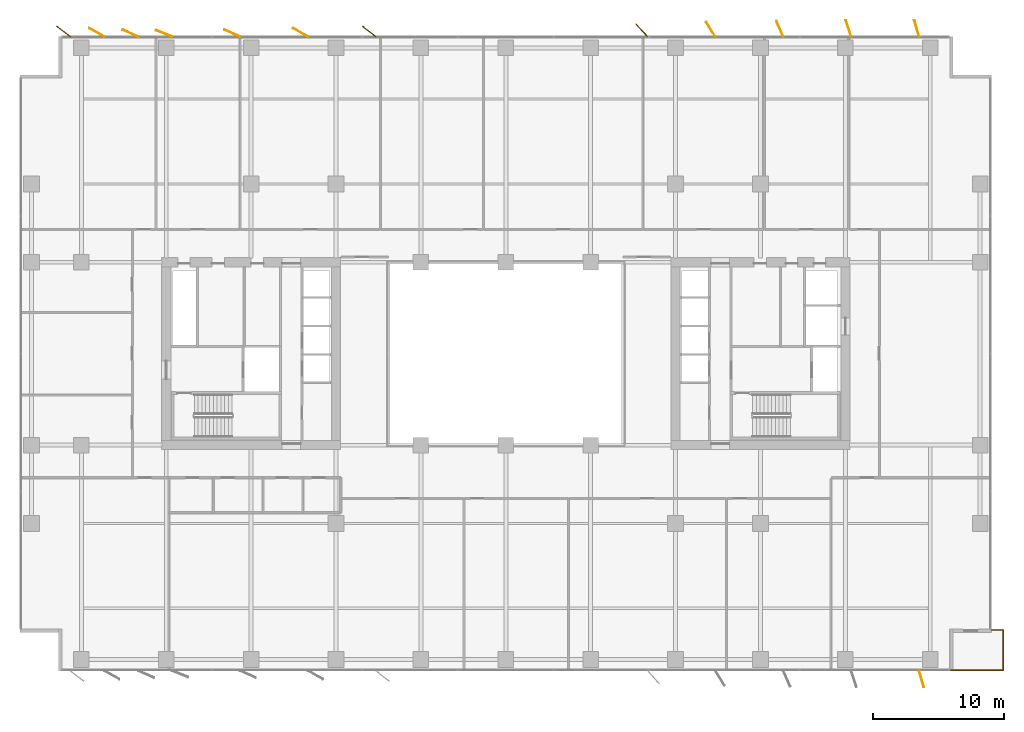
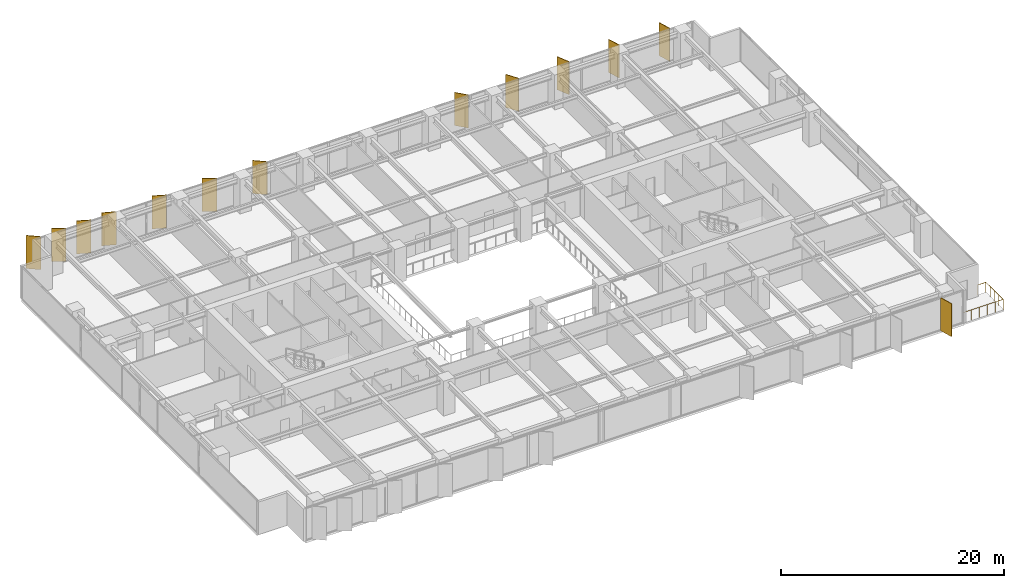
# One storey, part 20 of 20: 13 shading devices, 1 railing.
"""IFC4 building model written with IfcOpenShell, lengths in metres."""

import ifcopenshell
import ifcopenshell.guid

model = None  # the IFC model being written
_history = None  # IfcOwnerHistory: only IFC2X3 demands one
_inside = {}  # id of a spatial element -> (the spatial element, [elements in it])
_under = {}  # id of a project, library or spatial element -> (it, [spatial elements below it])
_declared = {}  # id of a project -> (the project, [libraries it declares])
_typed = {}  # id of a type object -> (the type object, [elements of that type])
_made_of = {}  # id of a material, layer set ... -> (it, [elements and type objects made of it])


def new_model(schema):
    """Start an empty IFC model of exactly this schema.

    Asked for "IFC4X3", IfcOpenShell would pick the latest addendum, in which some entities
    have other attributes; the version numbers below select the first issue.
    IFC2X3 requires an IfcOwnerHistory on every rooted entity: one is made here for all.
    """
    global model, _history
    if schema == "IFC4X3":
        model = ifcopenshell.file(schema_version=(4, 3, 0, 0))
    else:
        model = ifcopenshell.file(schema=schema)
    _inside.clear()
    _under.clear()
    _declared.clear()
    _typed.clear()
    _made_of.clear()
    _history = None
    if model.schema == "IFC2X3":
        org = make("IfcOrganization", Name="unknown")
        user = make(
            "IfcPersonAndOrganization",
            ThePerson=make("IfcPerson", FamilyName="unknown"),
            TheOrganization=org,
        )
        app = make(
            "IfcApplication",
            ApplicationDeveloper=org,
            Version="unknown",
            ApplicationFullName="unknown",
            ApplicationIdentifier="unknown",
        )
        _history = make(
            "IfcOwnerHistory",
            OwningUser=user,
            OwningApplication=app,
            ChangeAction="ADDED",
            CreationDate=0,
        )
    return model


def make(cls, **values):
    """One entity of the class cls with the attributes given. An attribute that is None is left unset."""
    return model.create_entity(
        cls, **{name: value for name, value in values.items() if value is not None}
    )


def rooted(cls, **values):
    """An entity with a GlobalId (a new one), such as an element, a storey or a relation."""
    return make(cls, GlobalId=ifcopenshell.guid.new(), OwnerHistory=_history, **values)


def si_unit(unit_type, name, prefix=None):
    """IfcSIUnit, for example si_unit("LENGTHUNIT", "METRE", prefix="MILLI")."""
    return make("IfcSIUnit", UnitType=unit_type, Prefix=prefix, Name=name)


def assignment(units):
    """IfcUnitAssignment: the units of a project."""
    return None if units is None else make("IfcUnitAssignment", Units=units)


def point(xyz):
    """IfcCartesianPoint."""
    return None if xyz is None else make("IfcCartesianPoint", Coordinates=xyz)


def direction(xyz):
    """IfcDirection."""
    return None if xyz is None else make("IfcDirection", DirectionRatios=xyz)


def frame(location, z_axis=None, x_axis=None):
    """IfcAxis2Placement3D, a coordinate frame: its origin and axes. An axis left out is left unset."""
    return make(
        "IfcAxis2Placement3D",
        Location=point(location),
        Axis=direction(z_axis),
        RefDirection=direction(x_axis),
    )


def frame_2d(location, x_axis=None):
    """IfcAxis2Placement2D, a coordinate frame in the plane: its origin and x axis."""
    return make(
        "IfcAxis2Placement2D", Location=point(location), RefDirection=direction(x_axis)
    )


def origin():
    """The frame at (0, 0, 0) with its axes left unset."""
    return frame((0.0, 0.0, 0.0))


def origin_2d():
    """The frame at (0, 0) in the plane with its x axis left unset."""
    return frame_2d((0.0, 0.0))


def place(relative_to, where):
    """IfcLocalPlacement: puts the frame where relative to a parent placement (None: the world)."""
    return make(
        "IfcLocalPlacement", PlacementRelTo=relative_to, RelativePlacement=where
    )


def context(
    kind, dimensions, precision=None, world=None, true_north=None, identifier=None
):
    """IfcGeometricRepresentationContext, for example the 3D "Model" context."""
    return make(
        "IfcGeometricRepresentationContext",
        ContextIdentifier=identifier,
        ContextType=kind,
        CoordinateSpaceDimension=dimensions,
        Precision=precision,
        WorldCoordinateSystem=world,
        TrueNorth=true_north,
    )


def subcontext(parent, identifier, kind, view, scale=None):
    """IfcGeometricRepresentationSubContext, for example "Body" below "Model"."""
    return make(
        "IfcGeometricRepresentationSubContext",
        ContextIdentifier=identifier,
        ContextType=kind,
        ParentContext=parent,
        TargetScale=scale,
        TargetView=view,
    )


def project(units=None, contexts=None):
    """IfcProject with its units and contexts."""
    return rooted(
        "IfcProject",
        Name="project",
        RepresentationContexts=contexts,
        UnitsInContext=assignment(units),
    )


def spatial(cls, under=None, at=None, **own):
    """A site, building, storey or space (cls), placed at a placement, below another one or the project."""
    s = rooted(cls, ObjectPlacement=at, **own)
    if under is not None:
        _under.setdefault(under.id(), (under, []))[1].append(s)
    return s


def profile(cls, at=None, kind="AREA", **sizes):
    """A parametric profile (cls). Its sizes go by their IFC names, for example OverallWidth=200.0."""
    return make(cls, ProfileType=kind, Position=at, **sizes)


def rectangle(**sizes):
    """IfcRectangleProfileDef."""
    return profile("IfcRectangleProfileDef", **sizes)


def circle(**sizes):
    """IfcCircleProfileDef."""
    return profile("IfcCircleProfileDef", **sizes)


def extrude(swept, where, along, depth):
    """IfcExtrudedAreaSolid: the profile swept, set in the frame where, extruded along a direction by depth."""
    return make(
        "IfcExtrudedAreaSolid",
        SweptArea=swept,
        Position=where,
        ExtrudedDirection=direction(along),
        Depth=depth,
    )


def shape(context_of_items, identifier, shape_type, items):
    """IfcShapeRepresentation: the items that make up one representation, for example the "Body"."""
    return make(
        "IfcShapeRepresentation",
        ContextOfItems=context_of_items,
        RepresentationIdentifier=identifier,
        RepresentationType=shape_type,
        Items=items,
    )


def material(Name=None, Category=None):
    """IfcMaterial."""
    return make("IfcMaterial", Name=Name, Category=Category)


def layer(
    of_material, thickness, ventilated=None, Name=None, Category=None, Priority=None
):
    """IfcMaterialLayer: one layer of a wall or slab, of a material (None: an air gap)."""
    return make(
        "IfcMaterialLayer",
        Material=of_material,
        LayerThickness=thickness,
        IsVentilated=ventilated,
        Name=Name,
        Category=Category,
        Priority=Priority,
    )


def layer_set(layers, Name=None):
    """IfcMaterialLayerSet."""
    return make("IfcMaterialLayerSet", MaterialLayers=layers, LayerSetName=Name)


def made_of(thing, what):
    """Note that an element or type object is made of a material, layer set ...; save() writes the relation."""
    if what is not None:
        _made_of.setdefault(what.id(), (what, []))[1].append(thing)
    return thing


def type_object(cls, material=None, **own):
    """A type object (cls), such as IfcWallType, which elements share."""
    return made_of(rooted(cls, **own), material)


def element(
    cls,
    number,
    at=None,
    inside=None,
    cuts=None,
    type_object=None,
    material=None,
    context=None,
    identifier="Body",
    shape_type=None,
    held_by="IfcProductDefinitionShape",
    body=None,
    shapes=None,
    **own,
):
    """One element of the class cls, such as IfcWall. Its Tag is "e" and its number.

    at: its placement. inside: the storey or other place that contains it. cuts: it is an
    opening in that element (IfcRelVoidsElement). A single representation is given by context,
    identifier, shape_type and body (its items); several are given by shapes. held_by: the class
    of the entity that holds the representations. save() writes the other relations.
    """
    e = rooted(cls, Tag="e%d" % number, ObjectPlacement=at, **own)
    if body is not None:
        shapes = [shape(context, identifier, shape_type, body)]
    if shapes is not None:
        e.Representation = make(held_by, Representations=shapes)
    if inside is not None:
        _inside.setdefault(inside.id(), (inside, []))[1].append(e)
    if cuts is not None:
        rooted(
            "IfcRelVoidsElement", RelatingBuildingElement=cuts, RelatedOpeningElement=e
        )
    if type_object is not None:
        _typed.setdefault(type_object.id(), (type_object, []))[1].append(e)
    return made_of(e, material)


def aggregate(whole, parts):
    """IfcRelAggregates: a whole, such as a stair, and the parts it consists of."""
    return rooted("IfcRelAggregates", RelatingObject=whole, RelatedObjects=parts)


def save(model, path):
    """Write the relations noted so far, then the file.

    IfcRelAggregates (storeys below a building ...), IfcRelContainedInSpatialStructure (elements
    in a storey), IfcRelDefinesByType, IfcRelAssociatesMaterial and IfcRelDeclares: one each for
    every whole, place, type object, material and project.
    """
    for whole, parts in _under.values():
        aggregate(whole, parts)
    for where, things in _inside.values():
        rooted(
            "IfcRelContainedInSpatialStructure",
            RelatedElements=things,
            RelatingStructure=where,
        )
    for kind, things in _typed.values():
        rooted("IfcRelDefinesByType", RelatedObjects=things, RelatingType=kind)
    for what, things in _made_of.values():
        rooted("IfcRelAssociatesMaterial", RelatedObjects=things, RelatingMaterial=what)
    for by, libraries in _declared.values():
        rooted("IfcRelDeclares", RelatingContext=by, RelatedDefinitions=libraries)
    model.write(path)


model = new_model("IFC4")

# Units and contexts
model_context = context("Model", 3, precision=1e-05, world=origin(), true_north=direction((0.0, 1.0)))
body_context = subcontext(model_context, "Body", "Model", "MODEL_VIEW")
ifc_project = project(units=[si_unit("LENGTHUNIT", "METRE"), si_unit("AREAUNIT", "SQUARE_METRE"), si_unit("VOLUMEUNIT", "CUBIC_METRE"), si_unit("PLANEANGLEUNIT", "RADIAN"), si_unit("MASSUNIT", "GRAM", prefix="KILO")], contexts=[model_context])

# Site, building, storey
site_placement = place(None, origin())
site = spatial("IfcSite", under=ifc_project, at=site_placement, CompositionType="ELEMENT")
building_placement = place(site_placement, origin())
building = spatial("IfcBuilding", under=site, at=building_placement, Name="Putna Gate Headquarters", CompositionType="ELEMENT")
storey_placement = place(building_placement, frame((0.0, 0.0, 116.39990234375)))
storey = spatial("IfcBuildingStorey", under=building, at=storey_placement, Name="L28", CompositionType="ELEMENT", Elevation=116.39990234375)

# Railing
ifc_material_1 = material(Name="Anodised bronze steel and laminated glass guardrail", Category="steel")
railing_type = type_object("IfcRailingType", Name="RAIL-TERR-GUARD-1150", PredefinedType="GUARDRAIL", material=ifc_material_1)
railing_placement = place(storey_placement, frame((73.0, 1.760009765625, 0.0)))
element("IfcRailing", 1, at=railing_placement, inside=storey, type_object=railing_type, Name="L28 Spiral Sky Terrace Guardrail SE", PredefinedType="GUARDRAIL", context=body_context, shape_type="SweptSolid", body=[
    extrude(circle(Radius=0.02392578125, at=origin_2d()), frame((0.0, 0.0, 1.1259765625), z_axis=(1.0, 0.0, 0.0), x_axis=(0.0, 1.0, 0.0)), (0.0, 0.0, 1.0), 4.090087890625),
    extrude(circle(Radius=0.02392578125, at=origin_2d()), frame((4.090087890625, 0.0, 1.1259765625), z_axis=(0.0, 1.0, 0.0), x_axis=(-1.0, 0.0, 0.0)), (0.0, 0.0, 1.0), 3.080078125),
    extrude(circle(Radius=0.02392578125, at=origin_2d()), frame((4.090087890625, 3.080078125, 1.1259765625), z_axis=(-1.0, 0.0, 0.0), x_axis=(0.0, -1.0, 0.0)), (0.0, 0.0, 1.0), 0.89013671875),
    extrude(circle(Radius=0.02099609375, at=origin_2d()), origin(), (0.0, 0.0, 1.0), 1.101806640625),
    extrude(circle(Radius=0.02099609375, at=origin_2d()), frame((0.818115234375, 0.0, 0.0)), (0.0, 0.0, 1.0), 1.101806640625),
    extrude(circle(Radius=0.02099609375, at=origin_2d()), frame((1.635986328125, 0.0, 0.0)), (0.0, 0.0, 1.0), 1.101806640625),
    extrude(circle(Radius=0.02099609375, at=origin_2d()), frame((2.4541015625, 0.0, 0.0)), (0.0, 0.0, 1.0), 1.101806640625),
    extrude(circle(Radius=0.02099609375, at=origin_2d()), frame((3.27197265625, 0.0, 0.0)), (0.0, 0.0, 1.0), 1.101806640625),
    extrude(circle(Radius=0.02099609375, at=origin_2d()), frame((4.090087890625, 0.0, 0.0)), (0.0, 0.0, 1.0), 1.101806640625),
    extrude(circle(Radius=0.02099609375, at=origin_2d()), frame((4.090087890625, 0.77001953125, 0.0)), (0.0, 0.0, 1.0), 1.101806640625),
    extrude(circle(Radius=0.02099609375, at=origin_2d()), frame((4.090087890625, 1.5400390625, 0.0)), (0.0, 0.0, 1.0), 1.101806640625),
    extrude(circle(Radius=0.02099609375, at=origin_2d()), frame((4.090087890625, 2.31005859375, 0.0)), (0.0, 0.0, 1.0), 1.101806640625),
    extrude(circle(Radius=0.02099609375, at=origin_2d()), frame((4.090087890625, 3.080078125, 0.0)), (0.0, 0.0, 1.0), 1.101806640625),
    extrude(circle(Radius=0.02099609375, at=origin_2d()), frame((3.199951171875, 3.080078125, 0.0)), (0.0, 0.0, 1.0), 1.101806640625),
])

# Shading devices
ifc_material_2 = material(Name="Anodised architectural bronze aluminium fin", Category="aluminium")
ifc_layer = layer(ifc_material_2, 0.06494140625)
ifc_layer_set = layer_set([ifc_layer], Name="Anodised architectural bronze aluminium fin")
shading_device_type = type_object("IfcShadingDeviceType", Name="SHADE-BRONZE-FIN-1320", PredefinedType="USERDEFINED", material=ifc_layer_set)
for number, where, z_axis, x_axis, name in (
    (2, (5.13037109375, 50.681884765625, -0.019775390625), (0.0, 0.0, 1.0), (-0.787473187632, 0.616348909921, 0.0), "L28 Bronze Vertical Shading Fin N1"),
    (3, (7.67626953125, 50.601318359375, -0.019775390625), (0.0, 0.0, 1.0), (-0.869322458298, 0.494245347472, 0.0), "L28 Bronze Vertical Shading Fin N2"),
    (4, (10.2470703125, 50.543212890625, -0.019775390625), (0.0, 0.0, 1.0), (-0.913687379856, 0.40641773078, 0.0), "L28 Bronze Vertical Shading Fin N3"),
    (5, (12.838134765625, 50.522216796875, -0.019775390625), (0.0, 0.0, 1.0), (-0.927183854567, 0.374606593416, 0.0), "L28 Bronze Vertical Shading Fin N4"),
    (6, (18.047119140625, 50.543212890625, -0.019775390625), (0.0, 0.0, 1.0), (-0.913687379856, 0.40641773078, 0.0), "L28 Bronze Vertical Shading Fin N5"),
    (7, (23.276123046875, 50.601318359375, -0.019775390625), (0.0, 0.0, 1.0), (-0.869322458298, 0.494245347472, 0.0), "L28 Bronze Vertical Shading Fin N6"),
    (8, (28.5302734375, 50.681884765625, -0.019775390625), (0.0, 0.0, 1.0), (-0.787473187632, 0.616348909921, 0.0), "L28 Bronze Vertical Shading Fin N7"),
    (9, (49.408447265625, 50.765380859375, -0.019775390625), (0.0, 0.0, 1.0), (-0.669130606359, 0.743144825477, 0.0), "L28 Bronze Vertical Shading Fin N8"),
    (10, (54.69970703125, 50.83447265625, -0.019775390625), (0.0, 0.0, 1.0), (-0.530659123936, 0.847585331506, 0.0), "L28 Bronze Vertical Shading Fin N9"),
    (11, (59.985595703125, 50.879638671875, -0.019775390625), (0.0, 0.0, 1.0), (-0.400668879095, 0.916222925562, 0.0), "L28 Bronze Vertical Shading Fin N10"),
    (12, (65.246337890625, 50.90283203125, -0.019775390625), (0.0, 0.0, 1.0), (-0.308684994204, 0.951164325631, 0.0), "L28 Bronze Vertical Shading Fin N11"),
    (13, (70.831787109375, 1.090576171875, -0.019775390625), (0.0, 0.0, 1.0), (0.275637355817, -0.961261695938, 0.0), "L28 Bronze Vertical Shading Fin S12"),
    (14, (70.468017578125, 50.909423828125, -0.019775390625), (0.0, 0.0, 1.0), (-0.275637355817, 0.961261695938, 0.0), "L28 Bronze Vertical Shading Fin N12"),
):
    element("IfcShadingDevice", number, at=place(storey_placement, frame(where, z_axis=z_axis, x_axis=x_axis)), inside=storey, type_object=shading_device_type, Name=name, ObjectType="FIN", PredefinedType="USERDEFINED", context=body_context, shape_type="SweptSolid", body=[
        extrude(rectangle(XDim=1.320068359375, YDim=0.06494140625, at=origin_2d()), origin(), (0.0, 0.0, 1.0), 3.60498046875),
    ])

save(model, "model.ifc")
